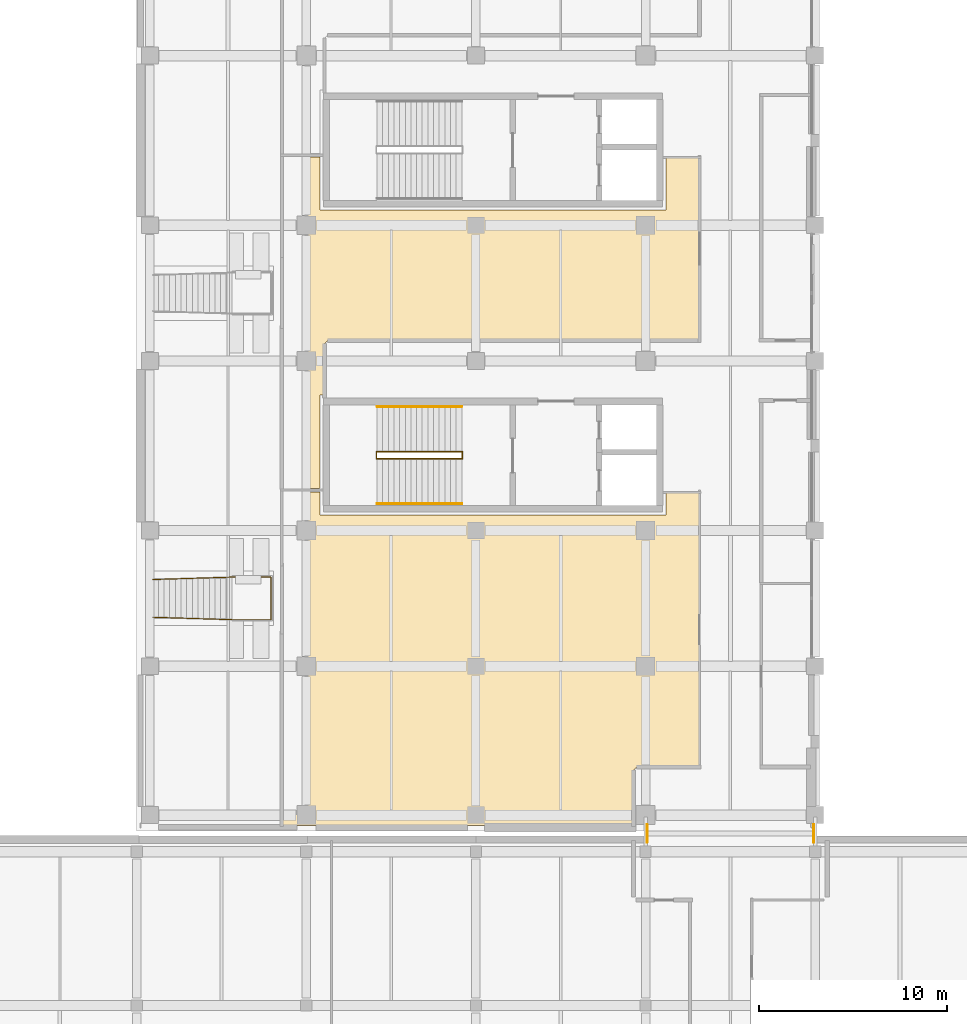
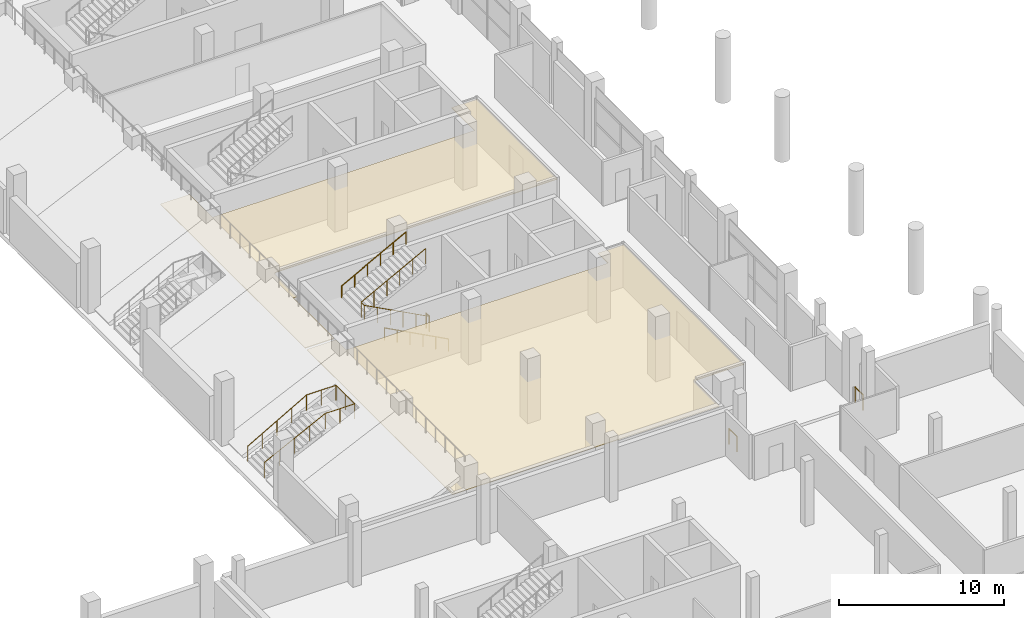
# One storey, part 88 of 100: 7 railings, 2 coverings.
"""IFC4 building model written with IfcOpenShell, lengths in metres."""

from ifc_helpers import new_model, si_unit, direction, frame, origin, origin_2d, place, context, subcontext, project, spatial, polyline, circle, outline, extrude, material, layer, layer_set, type_object, element, save


model = new_model("IFC4")

# Units and contexts
model_context = context("Model", 3, precision=1e-05, world=origin(), true_north=direction((0.0, 1.0)))
body_context = subcontext(model_context, "Body", "Model", "MODEL_VIEW")
ifc_project = project(units=[si_unit("LENGTHUNIT", "METRE"), si_unit("AREAUNIT", "SQUARE_METRE"), si_unit("VOLUMEUNIT", "CUBIC_METRE"), si_unit("PLANEANGLEUNIT", "RADIAN"), si_unit("MASSUNIT", "GRAM", prefix="KILO"), si_unit("THERMODYNAMICTEMPERATUREUNIT", "KELVIN"), si_unit("POWERUNIT", "WATT")], contexts=[model_context])

# Site, building, storey
site_placement = place(None, origin())
site = spatial("IfcSite", under=ifc_project, at=site_placement, CompositionType="ELEMENT")
building_placement = place(site_placement, origin())
building = spatial("IfcBuilding", under=site, at=building_placement, Name="Sindhuravela Promenade Stadium", CompositionType="ELEMENT")
storey_placement = place(building_placement, frame((0.0, 0.0, 4.800048828125)))
storey = spatial("IfcBuildingStorey", under=building, at=storey_placement, Name="L01", CompositionType="ELEMENT", Elevation=4.800048828125)

# Coverings
ifc_material_1 = material(Name="Acoustic mineral-fibre ceiling tile", Category="gypsum")
ifc_layer = layer(ifc_material_1, 0.044921875)
ifc_layer_set = layer_set([ifc_layer], Name="Acoustic mineral-fibre ceiling tile")
covering_type = type_object("IfcCoveringType", Name="CV-CEIL-2", PredefinedType="CEILING", material=ifc_layer_set)
covering_1_placement = place(storey_placement, frame((0.0, 0.0, 3.050048828125)))
element("IfcCovering", 1, at=covering_1_placement, inside=storey, type_object=covering_type, Name="Acoustic ceiling Supporters Hall East", PredefinedType="CEILING", context=body_context, shape_type="SweptSolid", body=[
    extrude(outline(polyline([(180.719970703125, 53.02001953125), (199.080078125, 53.02001953125), (199.080078125, 54.221923828125), (199.080078125, 54.22412109375), (199.080322265625, 54.225830078125), (199.080810546875, 54.227783203125), (199.08154296875, 54.229736328125), (199.08251953125, 54.2314453125), (199.08349609375, 54.233154296875), (199.08447265625, 54.234619140625), (199.0859375, 54.236083984375), (199.08740234375, 54.237548828125), (199.0888671875, 54.238525390625), (199.090576171875, 54.239501953125), (199.09228515625, 54.240478515625), (199.09423828125, 54.2412109375), (199.09619140625, 54.24169921875), (199.097900390625, 54.241943359375), (199.10009765625, 54.241943359375), (200.860107421875, 54.241943359375), (200.862060546875, 54.241943359375), (200.864013671875, 54.24169921875), (200.86572265625, 54.2412109375), (200.86767578125, 54.240478515625), (200.869384765625, 54.239501953125), (200.87109375, 54.238525390625), (200.872802734375, 54.237548828125), (200.8740234375, 54.236083984375), (200.87548828125, 54.234619140625), (200.876708984375, 54.233154296875), (200.877685546875, 54.2314453125), (200.87841796875, 54.229736328125), (200.879150390625, 54.227783203125), (200.879638671875, 54.225830078125), (200.8798828125, 54.22412109375), (200.8798828125, 54.221923828125), (200.8798828125, 39.659912109375), (200.8798828125, 39.657958984375), (200.879638671875, 39.656005859375), (200.879150390625, 39.654296875), (200.87841796875, 39.65234375), (200.877685546875, 39.650634765625), (200.876708984375, 39.64892578125), (200.87548828125, 39.647216796875), (200.8740234375, 39.64599609375), (200.872802734375, 39.64453125), (200.87109375, 39.643310546875), (200.869384765625, 39.642333984375), (200.86767578125, 39.6416015625), (200.86572265625, 39.640869140625), (200.864013671875, 39.640380859375), (200.862060546875, 39.64013671875), (200.860107421875, 39.639892578125), (197.6005859375, 39.639892578125), (197.578369140625, 39.638916015625), (197.55712890625, 39.6357421875), (197.5361328125, 39.630615234375), (197.515869140625, 39.623291015625), (197.496337890625, 39.614013671875), (197.477783203125, 39.602783203125), (197.46044921875, 39.590087890625), (197.444580078125, 39.575439453125), (197.429931640625, 39.5595703125), (197.4169921875, 39.542236328125), (197.406005859375, 39.523681640625), (197.396728515625, 39.504150390625), (197.389404296875, 39.48388671875), (197.38427734375, 39.462890625), (197.381103515625, 39.441650390625), (197.3798828125, 39.41943359375), (197.3798828125, 36.570068359375), (197.3798828125, 36.568115234375), (197.379638671875, 36.566162109375), (197.379150390625, 36.564208984375), (197.37841796875, 36.562255859375), (197.377685546875, 36.560546875), (197.376708984375, 36.558837890625), (197.37548828125, 36.557373046875), (197.3740234375, 36.555908203125), (197.372802734375, 36.554443359375), (197.37109375, 36.553466796875), (197.369384765625, 36.552490234375), (197.36767578125, 36.551513671875), (197.36572265625, 36.55078125), (197.364013671875, 36.55029296875), (197.362060546875, 36.550048828125), (197.360107421875, 36.550048828125), (178.699951171875, 36.550048828125), (178.697998046875, 36.550048828125), (178.696044921875, 36.55029296875), (178.694091796875, 36.55078125), (178.6923828125, 36.551513671875), (178.690673828125, 36.552490234375), (178.68896484375, 36.553466796875), (178.687255859375, 36.554443359375), (178.685791015625, 36.555908203125), (178.6845703125, 36.557373046875), (178.683349609375, 36.558837890625), (178.682373046875, 36.560546875), (178.681396484375, 36.562255859375), (178.680908203125, 36.564208984375), (178.680419921875, 36.566162109375), (178.68017578125, 36.568115234375), (178.679931640625, 36.570068359375), (178.679931640625, 54.221923828125), (178.68017578125, 54.22412109375), (178.680419921875, 54.225830078125), (178.680908203125, 54.227783203125), (178.681396484375, 54.229736328125), (178.682373046875, 54.2314453125), (178.683349609375, 54.233154296875), (178.6845703125, 54.234619140625), (178.685791015625, 54.236083984375), (178.687255859375, 54.237548828125), (178.68896484375, 54.238525390625), (178.690673828125, 54.239501953125), (178.6923828125, 54.240478515625), (178.694091796875, 54.2412109375), (178.696044921875, 54.24169921875), (178.697998046875, 54.241943359375), (178.699951171875, 54.241943359375), (180.699951171875, 54.241943359375), (180.701904296875, 54.241943359375), (180.703857421875, 54.24169921875), (180.705810546875, 54.2412109375), (180.707763671875, 54.240478515625), (180.70947265625, 54.239501953125), (180.711181640625, 54.238525390625), (180.712646484375, 54.237548828125), (180.714111328125, 54.236083984375), (180.715576171875, 54.234619140625), (180.716552734375, 54.233154296875), (180.717529296875, 54.2314453125), (180.718505859375, 54.229736328125), (180.718994140625, 54.227783203125), (180.719482421875, 54.225830078125), (180.719970703125, 54.22412109375), (180.719970703125, 54.221923828125), (180.719970703125, 53.02001953125)])), origin(), (0.0, 0.0, 1.0), 0.044921875),
])
covering_2_placement = place(storey_placement, frame((0.0, 0.0, 3.050048828125)))
element("IfcCovering", 2, at=covering_2_placement, inside=storey, type_object=covering_type, Name="Acoustic ceiling Club Merchandise Gallery", PredefinedType="CEILING", context=body_context, shape_type="SweptSolid", body=[
    extrude(outline(polyline([(178.679931640625, 71.993896484375), (178.68017578125, 71.99609375), (178.680419921875, 71.997802734375), (178.680908203125, 71.999755859375), (178.681396484375, 72.001708984375), (178.682373046875, 72.00341796875), (178.683349609375, 72.005126953125), (178.6845703125, 72.006591796875), (178.685791015625, 72.008056640625), (178.687255859375, 72.009521484375), (178.68896484375, 72.010498046875), (178.690673828125, 72.01171875), (178.6923828125, 72.012451171875), (178.694091796875, 72.01318359375), (178.696044921875, 72.013671875), (178.697998046875, 72.013916015625), (178.699951171875, 72.013916015625), (180.699951171875, 72.013916015625), (180.701904296875, 72.013916015625), (180.703857421875, 72.013671875), (180.705810546875, 72.01318359375), (180.707763671875, 72.012451171875), (180.70947265625, 72.01171875), (180.711181640625, 72.010498046875), (180.712646484375, 72.009521484375), (180.714111328125, 72.008056640625), (180.715576171875, 72.006591796875), (180.716552734375, 72.005126953125), (180.717529296875, 72.00341796875), (180.718505859375, 72.001708984375), (180.718994140625, 71.999755859375), (180.719482421875, 71.997802734375), (180.719970703125, 71.99609375), (180.719970703125, 71.993896484375), (180.719970703125, 69.219970703125), (199.080078125, 69.219970703125), (199.080078125, 71.993896484375), (199.080078125, 71.99609375), (199.080322265625, 71.997802734375), (199.080810546875, 71.999755859375), (199.08154296875, 72.001708984375), (199.08251953125, 72.00341796875), (199.08349609375, 72.005126953125), (199.08447265625, 72.006591796875), (199.0859375, 72.008056640625), (199.08740234375, 72.009521484375), (199.0888671875, 72.010498046875), (199.090576171875, 72.01171875), (199.09228515625, 72.012451171875), (199.09423828125, 72.01318359375), (199.09619140625, 72.013671875), (199.097900390625, 72.013916015625), (199.10009765625, 72.013916015625), (200.860107421875, 72.013916015625), (200.862060546875, 72.013916015625), (200.864013671875, 72.013671875), (200.86572265625, 72.01318359375), (200.86767578125, 72.012451171875), (200.869384765625, 72.01171875), (200.87109375, 72.010498046875), (200.872802734375, 72.009521484375), (200.8740234375, 72.008056640625), (200.87548828125, 72.006591796875), (200.876708984375, 72.005126953125), (200.877685546875, 72.00341796875), (200.87841796875, 72.001708984375), (200.879150390625, 71.999755859375), (200.879638671875, 71.997802734375), (200.8798828125, 71.99609375), (200.8798828125, 71.993896484375), (200.8798828125, 62.2900390625), (200.8798828125, 62.2880859375), (200.879638671875, 62.2861328125), (200.879150390625, 62.2841796875), (200.87841796875, 62.2822265625), (200.877685546875, 62.280517578125), (200.876708984375, 62.27880859375), (200.87548828125, 62.27734375), (200.8740234375, 62.27587890625), (200.872802734375, 62.2744140625), (200.87109375, 62.2734375), (200.869384765625, 62.2724609375), (200.86767578125, 62.271484375), (200.86572265625, 62.27099609375), (200.864013671875, 62.2705078125), (200.862060546875, 62.27001953125), (200.860107421875, 62.27001953125), (181.200439453125, 62.27001953125), (181.178466796875, 62.268798828125), (181.156982421875, 62.265625), (181.135986328125, 62.260498046875), (181.11572265625, 62.253173828125), (181.09619140625, 62.243896484375), (181.077880859375, 62.23291015625), (181.060302734375, 62.219970703125), (181.04443359375, 62.20556640625), (181.030029296875, 62.189697265625), (181.01708984375, 62.172119140625), (181.006103515625, 62.15380859375), (180.996826171875, 62.13427734375), (180.989501953125, 62.114013671875), (180.984375, 62.093017578125), (180.981201171875, 62.071533203125), (180.97998046875, 62.049560546875), (180.97998046875, 59.39990234375), (180.97998046875, 59.39794921875), (180.9794921875, 59.39599609375), (180.97900390625, 59.394287109375), (180.978515625, 59.392333984375), (180.9775390625, 59.390625), (180.9765625, 59.388916015625), (180.9755859375, 59.38720703125), (180.97412109375, 59.385986328125), (180.97265625, 59.384521484375), (180.97119140625, 59.38330078125), (180.969482421875, 59.38232421875), (180.9677734375, 59.381591796875), (180.9658203125, 59.380859375), (180.9638671875, 59.38037109375), (180.9619140625, 59.380126953125), (180.9599609375, 59.3798828125), (180.719970703125, 59.3798828125), (180.719970703125, 54.4619140625), (180.719970703125, 54.4599609375), (180.719482421875, 54.4580078125), (180.718994140625, 54.456298828125), (180.718505859375, 54.454345703125), (180.717529296875, 54.45263671875), (180.716552734375, 54.450927734375), (180.715576171875, 54.44921875), (180.714111328125, 54.447998046875), (180.712646484375, 54.446533203125), (180.711181640625, 54.4453125), (180.70947265625, 54.4443359375), (180.707763671875, 54.443603515625), (180.705810546875, 54.44287109375), (180.703857421875, 54.4423828125), (180.701904296875, 54.442138671875), (180.699951171875, 54.44189453125), (178.699951171875, 54.44189453125), (178.697998046875, 54.442138671875), (178.696044921875, 54.4423828125), (178.694091796875, 54.44287109375), (178.6923828125, 54.443603515625), (178.690673828125, 54.4443359375), (178.68896484375, 54.4453125), (178.687255859375, 54.446533203125), (178.685791015625, 54.447998046875), (178.6845703125, 54.44921875), (178.683349609375, 54.450927734375), (178.682373046875, 54.45263671875), (178.681396484375, 54.454345703125), (178.680908203125, 54.456298828125), (178.680419921875, 54.4580078125), (178.68017578125, 54.4599609375), (178.679931640625, 54.4619140625), (178.679931640625, 71.993896484375)])), origin(), (0.0, 0.0, 1.0), 0.044921875),
])

# Railings
ifc_material_2 = material(Name="Architectural wrought steel E350", Category="steel")
railing_type_1 = type_object("IfcRailingType", Name="RL-GRD-1150", PredefinedType="GUARDRAIL", material=ifc_material_2)
for number, where, name in (
    (3, (198.080078125, 35.64990234375, 0.0), "Bridge edge guardrail GR01-61"),
    (4, (206.919921875, 35.64990234375, 0.0), "Bridge edge guardrail GR01-62"),
):
    element("IfcRailing", number, at=place(storey_placement, frame(where)), inside=storey, type_object=railing_type_1, Name=name, PredefinedType="GUARDRAIL", context=body_context, shape_type="SweptSolid", body=[
        extrude(circle(Radius=0.02392578125, at=origin_2d()), frame((0.0, 0.0, 1.1259765625), z_axis=(0.0, 1.0, 0.0), x_axis=(-1.0, 0.0, 0.0)), (0.0, 0.0, 1.0), 0.9501953125),
        extrude(circle(Radius=0.02099609375, at=origin_2d()), origin(), (0.0, 0.0, 1.0), 1.101806640625),
        extrude(circle(Radius=0.02099609375, at=origin_2d()), frame((0.0, 0.9501953125, 0.0)), (0.0, 0.0, 1.0), 1.101806640625),
    ])
railing_1_placement = place(storey_placement, frame((188.25, 56.010009765625, 0.0)))
element("IfcRailing", 5, at=railing_1_placement, inside=storey, type_object=railing_type_1, Name="Stair ST05 inner well guard (L01)", PredefinedType="GUARDRAIL", context=body_context, shape_type="SweptSolid", body=[
    extrude(circle(Radius=0.02392578125, at=origin_2d()), frame((0.0, 0.0, 1.1259765625), z_axis=(-0.8836546633431795, 0.0, 0.46813933390802775), x_axis=(0.0, -1.0, 0.0)), (0.0, 0.0, 1.0), 5.12646484375),
    extrude(circle(Radius=0.02392578125, at=origin_2d()), frame((-4.530029296875, 0.0, 3.52587890625), z_axis=(0.0, 1.0, 0.0), x_axis=(-1.0, 0.0, 0.0)), (0.0, 0.0, 1.0), 0.3798828125),
    extrude(circle(Radius=0.02392578125, at=origin_2d()), frame((-4.530029296875, 0.3798828125, 3.52587890625), z_axis=(0.8836349624059475, 0.0, 0.46817651928929505), x_axis=(0.0, 1.0, 0.0)), (0.0, 0.0, 1.0), 5.12646484375),
    extrude(circle(Radius=0.02099609375, at=origin_2d()), origin(), (0.0, 0.0, 1.0), 1.101806640625),
    extrude(circle(Radius=0.02099609375, at=origin_2d()), frame((-0.906005859375, 0.0, 0.47998046875)), (0.0, 0.0, 1.0), 1.101806640625),
    extrude(circle(Radius=0.02099609375, at=origin_2d()), frame((-1.81201171875, 0.0, 0.9599609375)), (0.0, 0.0, 1.0), 1.101806640625),
    extrude(circle(Radius=0.02099609375, at=origin_2d()), frame((-2.718017578125, 0.0, 1.43994140625)), (0.0, 0.0, 1.0), 1.101806640625),
    extrude(circle(Radius=0.02099609375, at=origin_2d()), frame((-3.6240234375, 0.0, 1.919921875)), (0.0, 0.0, 1.0), 1.101806640625),
    extrude(circle(Radius=0.02099609375, at=origin_2d()), frame((-4.530029296875, 0.0, 2.39990234375)), (0.0, 0.0, 1.0), 1.101806640625),
    extrude(circle(Radius=0.02099609375, at=origin_2d()), frame((-4.530029296875, 0.3798828125, 2.39990234375)), (0.0, 0.0, 1.0), 1.101806640625),
    extrude(circle(Radius=0.02099609375, at=origin_2d()), frame((-3.6240234375, 0.3798828125, 2.8798828125)), (0.0, 0.0, 1.0), 1.101806640625),
    extrude(circle(Radius=0.02099609375, at=origin_2d()), frame((-2.718017578125, 0.3798828125, 3.35986328125)), (0.0, 0.0, 1.0), 1.101806640625),
    extrude(circle(Radius=0.02099609375, at=origin_2d()), frame((-1.81201171875, 0.3798828125, 3.840087890625)), (0.0, 0.0, 1.0), 1.101806640625),
    extrude(circle(Radius=0.02099609375, at=origin_2d()), frame((-0.906005859375, 0.3798828125, 4.320068359375)), (0.0, 0.0, 1.0), 1.101806640625),
    extrude(circle(Radius=0.02099609375, at=origin_2d()), frame((0.0, 0.3798828125, 4.800048828125)), (0.0, 0.0, 1.0), 1.101806640625),
])
railing_2_placement = place(storey_placement, frame((188.280029296875, 56.010009765625, 0.0)))
element("IfcRailing", 6, at=railing_2_placement, inside=storey, type_object=railing_type_1, Name="Stair ST05 landing well slot guard (L01)", PredefinedType="GUARDRAIL", context=body_context, shape_type="SweptSolid", body=[
    extrude(circle(Radius=0.02392578125, at=origin_2d()), frame((0.0, 0.0, 1.1259765625), z_axis=(0.0, 1.0, 0.0), x_axis=(-1.0, 0.0, 0.0)), (0.0, 0.0, 1.0), 0.3798828125),
    extrude(circle(Radius=0.02099609375, at=origin_2d()), origin(), (0.0, 0.0, 1.0), 1.101806640625),
    extrude(circle(Radius=0.02099609375, at=origin_2d()), frame((0.0, 0.3798828125, 0.0)), (0.0, 0.0, 1.0), 1.101806640625),
])
railing_3_placement = place(storey_placement, frame((171.85009765625, 47.60009765625, 0.0)))
element("IfcRailing", 7, at=railing_3_placement, inside=storey, type_object=railing_type_1, Name="Vomitory VS05 flight & platform guard", PredefinedType="GUARDRAIL", context=body_context, shape_type="SweptSolid", body=[
    extrude(circle(Radius=0.02392578125, at=origin_2d()), frame((0.0, 0.0, 1.1259765625), z_axis=(0.8811491305038108, -0.027300615390253514, 0.4720496649841958), x_axis=(0.03096810782289172, 0.9995203731279667, 0.0)), (0.0, 0.0, 1.0), 4.766357421875),
    extrude(circle(Radius=0.02392578125, at=origin_2d()), frame((4.199951171875, -0.130126953125, 3.3759765625), z_axis=(1.0, 0.0, 0.0), x_axis=(0.0, 1.0, 0.0)), (0.0, 0.0, 1.0), 2.070068359375),
    extrude(circle(Radius=0.02392578125, at=origin_2d()), frame((6.27001953125, -0.130126953125, 3.3759765625), z_axis=(0.0, 1.0, 0.0), x_axis=(-1.0, 0.0, 0.0)), (0.0, 0.0, 1.0), 2.260009765625),
    extrude(circle(Radius=0.02392578125, at=origin_2d()), frame((6.27001953125, 2.1298828125, 3.3759765625), z_axis=(-1.0, 0.0, 0.0), x_axis=(0.0, -1.0, 0.0)), (0.0, 0.0, 1.0), 2.070068359375),
    extrude(circle(Radius=0.02392578125, at=origin_2d()), frame((4.199951171875, 2.1298828125, 3.3759765625), z_axis=(-0.8811503615104481, -0.02724943279216174, -0.47205032445970413), x_axis=(0.030910061871442473, -0.9995221698767385, 0.0)), (0.0, 0.0, 1.0), 4.766357421875),
    extrude(circle(Radius=0.02099609375, at=origin_2d()), origin(), (0.0, 0.0, 1.0), 1.101806640625),
    extrude(circle(Radius=0.02099609375, at=origin_2d()), frame((1.050048828125, -0.032470703125, 0.5625)), (0.0, 0.0, 1.0), 1.101806640625),
    extrude(circle(Radius=0.02099609375, at=origin_2d()), frame((2.10009765625, -0.06494140625, 1.125)), (0.0, 0.0, 1.0), 1.101806640625),
    extrude(circle(Radius=0.02099609375, at=origin_2d()), frame((3.14990234375, -0.09765625, 1.6875)), (0.0, 0.0, 1.0), 1.101806640625),
    extrude(circle(Radius=0.02099609375, at=origin_2d()), frame((4.199951171875, -0.130126953125, 2.25)), (0.0, 0.0, 1.0), 1.101806640625),
    extrude(circle(Radius=0.02099609375, at=origin_2d()), frame((5.23486328125, -0.130126953125, 2.25)), (0.0, 0.0, 1.0), 1.101806640625),
    extrude(circle(Radius=0.02099609375, at=origin_2d()), frame((6.27001953125, -0.130126953125, 2.25)), (0.0, 0.0, 1.0), 1.101806640625),
    extrude(circle(Radius=0.02099609375, at=origin_2d()), frame((6.27001953125, 1.0, 2.25)), (0.0, 0.0, 1.0), 1.101806640625),
    extrude(circle(Radius=0.02099609375, at=origin_2d()), frame((6.27001953125, 2.1298828125, 2.25)), (0.0, 0.0, 1.0), 1.101806640625),
    extrude(circle(Radius=0.02099609375, at=origin_2d()), frame((5.23486328125, 2.1298828125, 2.25)), (0.0, 0.0, 1.0), 1.101806640625),
    extrude(circle(Radius=0.02099609375, at=origin_2d()), frame((4.199951171875, 2.1298828125, 2.25)), (0.0, 0.0, 1.0), 1.101806640625),
    extrude(circle(Radius=0.02099609375, at=origin_2d()), frame((3.14990234375, 2.097412109375, 1.6875)), (0.0, 0.0, 1.0), 1.101806640625),
    extrude(circle(Radius=0.02099609375, at=origin_2d()), frame((2.10009765625, 2.06494140625, 1.125)), (0.0, 0.0, 1.0), 1.101806640625),
    extrude(circle(Radius=0.02099609375, at=origin_2d()), frame((1.050048828125, 2.032470703125, 0.5625)), (0.0, 0.0, 1.0), 1.101806640625),
    extrude(circle(Radius=0.02099609375, at=origin_2d()), frame((0.0, 2.0, 0.0)), (0.0, 0.0, 1.0), 1.101806640625),
])
railing_type_2 = type_object("IfcRailingType", Name="RL-HND-920", PredefinedType="HANDRAIL", material=ifc_material_2)
railing_4_placement = place(storey_placement, frame((188.25, 53.6201171875, 0.0)))
element("IfcRailing", 8, at=railing_4_placement, inside=storey, type_object=railing_type_2, Name="Stair ST05 lower wall handrail (L01)", PredefinedType="HANDRAIL", context=body_context, shape_type="SweptSolid", body=[
    extrude(circle(Radius=0.02392578125, at=origin_2d()), frame((0.0, 0.0, 0.89599609375), z_axis=(-0.8823608919668723, 0.0, 0.4705733272588083), x_axis=(0.0, -1.0, 0.0)), (0.0, 0.0, 1.0), 5.099853515625),
    extrude(circle(Radius=0.02099609375, at=origin_2d()), origin(), (0.0, 0.0, 1.0), 0.871826171875),
    extrude(circle(Radius=0.02099609375, at=origin_2d()), frame((-0.89990234375, 0.0, 0.47998046875)), (0.0, 0.0, 1.0), 0.871826171875),
    extrude(circle(Radius=0.02099609375, at=origin_2d()), frame((-1.800048828125, 0.0, 0.9599609375)), (0.0, 0.0, 1.0), 0.871826171875),
    extrude(circle(Radius=0.02099609375, at=origin_2d()), frame((-2.699951171875, 0.0, 1.43994140625)), (0.0, 0.0, 1.0), 0.871826171875),
    extrude(circle(Radius=0.02099609375, at=origin_2d()), frame((-3.60009765625, 0.0, 1.919921875)), (0.0, 0.0, 1.0), 0.871826171875),
    extrude(circle(Radius=0.02099609375, at=origin_2d()), frame((-4.5, 0.0, 2.39990234375)), (0.0, 0.0, 1.0), 0.871826171875),
])
railing_5_placement = place(storey_placement, frame((183.75, 58.780029296875, 2.39990234375)))
element("IfcRailing", 9, at=railing_5_placement, inside=storey, type_object=railing_type_2, Name="Stair ST05 upper wall handrail (L01)", PredefinedType="HANDRAIL", context=body_context, shape_type="SweptSolid", body=[
    extrude(circle(Radius=0.02392578125, at=origin_2d()), frame((0.0, 0.0, 0.89599609375), z_axis=(0.8823410147872734, 0.0, 0.47061059659145427), x_axis=(0.0, 1.0, 0.0)), (0.0, 0.0, 1.0), 5.10009765625),
    extrude(circle(Radius=0.02099609375, at=origin_2d()), origin(), (0.0, 0.0, 1.0), 0.871826171875),
    extrude(circle(Radius=0.02099609375, at=origin_2d()), frame((0.89990234375, 0.0, 0.47998046875)), (0.0, 0.0, 1.0), 0.871826171875),
    extrude(circle(Radius=0.02099609375, at=origin_2d()), frame((1.800048828125, 0.0, 0.9599609375)), (0.0, 0.0, 1.0), 0.871826171875),
    extrude(circle(Radius=0.02099609375, at=origin_2d()), frame((2.699951171875, 0.0, 1.440185546875)), (0.0, 0.0, 1.0), 0.871826171875),
    extrude(circle(Radius=0.02099609375, at=origin_2d()), frame((3.60009765625, 0.0, 1.920166015625)), (0.0, 0.0, 1.0), 0.871826171875),
    extrude(circle(Radius=0.02099609375, at=origin_2d()), frame((4.5, 0.0, 2.400146484375)), (0.0, 0.0, 1.0), 0.871826171875),
])

save(model, "model.ifc")
